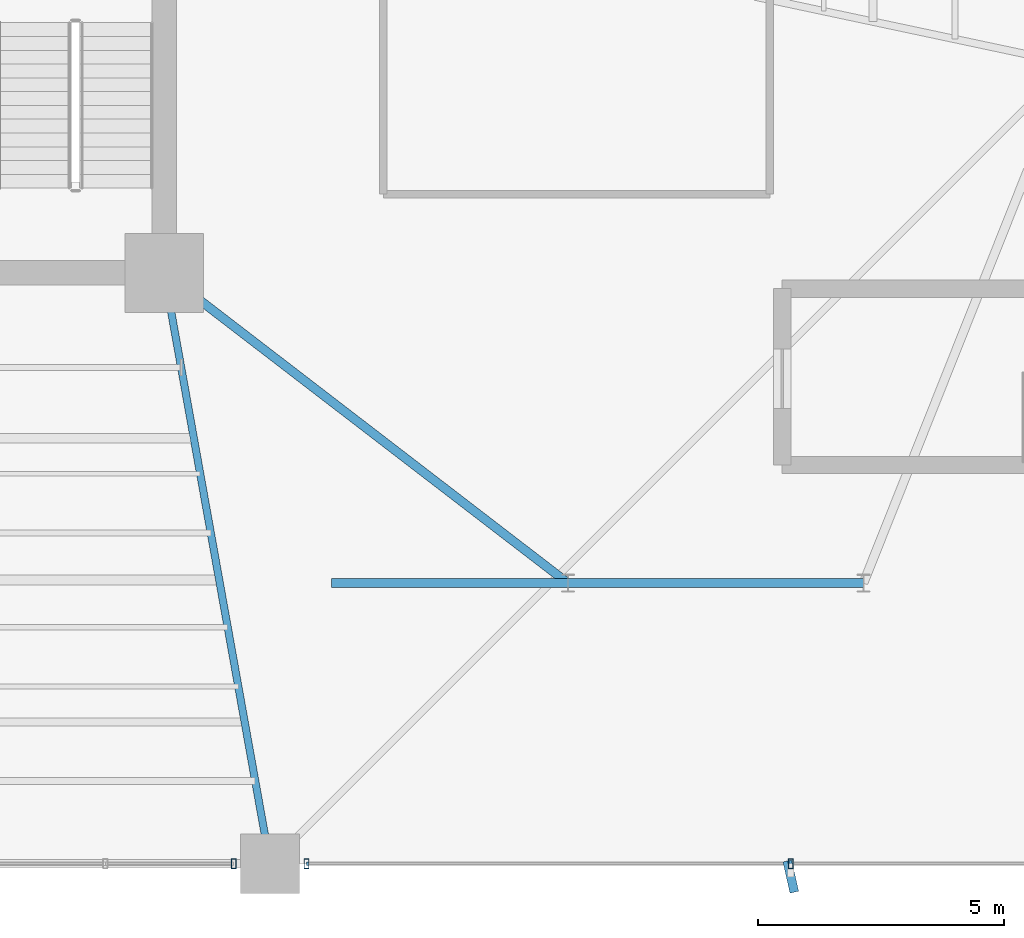
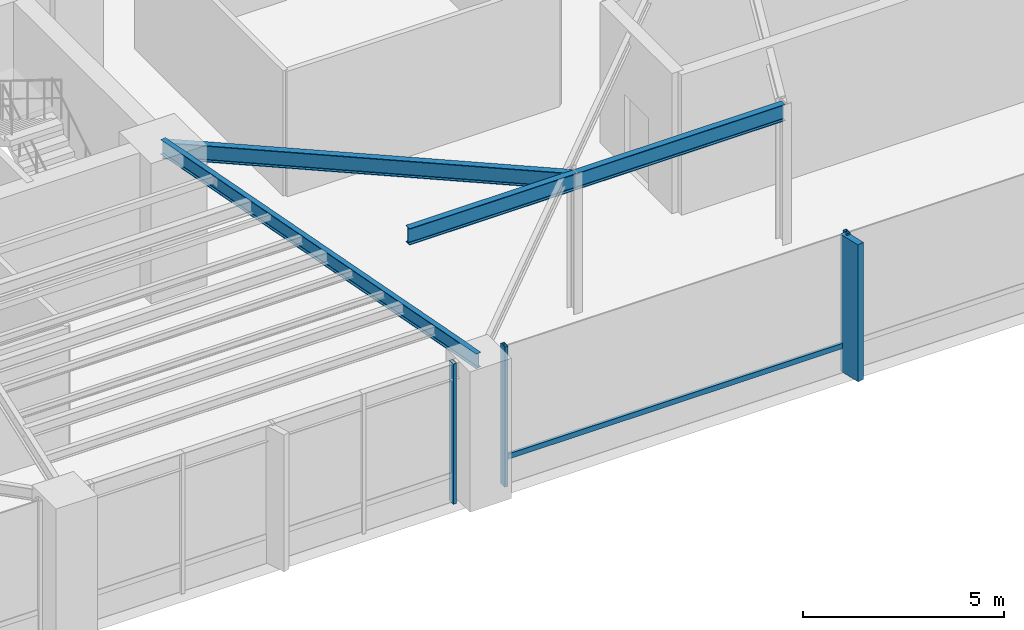
# One storey, part 9 of 26: 5 members, 4 beams, 2 elements without a shape of their own.
"""IFC4 building model written with IfcOpenShell, lengths in metres."""

from ifc_helpers import new_model, si_unit, direction, frame, origin, origin_2d, place, context, subcontext, project, spatial, rectangle, hollow_rectangle, i_section, extrude, source, transform, mapped, material, material_profile, profile_set, type_object, element, aggregate, save


model = new_model("IFC4")

# Units and contexts
model_context = context("Model", 3, precision=1e-05, world=origin(), true_north=direction((0.0, 1.0)))
body_context = subcontext(model_context, "Body", "Model", "MODEL_VIEW")
ifc_project = project(units=[si_unit("LENGTHUNIT", "METRE"), si_unit("AREAUNIT", "SQUARE_METRE"), si_unit("VOLUMEUNIT", "CUBIC_METRE"), si_unit("PLANEANGLEUNIT", "RADIAN"), si_unit("MASSUNIT", "GRAM", prefix="KILO")], contexts=[model_context])

# Site, building, storey
site_placement = place(None, origin())
site = spatial("IfcSite", under=ifc_project, at=site_placement, CompositionType="ELEMENT")
building_placement = place(site_placement, origin())
building = spatial("IfcBuilding", under=site, at=building_placement, Name="Sahyath Konkavel Grand Hotel", CompositionType="ELEMENT")
storey_placement = place(building_placement, frame((0.0, 0.0, 18.60009765625)))
storey = spatial("IfcBuildingStorey", under=building, at=storey_placement, Name="L04", CompositionType="ELEMENT", Elevation=18.60009765625)

# Beams
ifc_material_1 = material(Name="Steel E350", Category="steel")
ifc_material_profile_1 = material_profile(ifc_material_1, i_section(OverallWidth=0.179931640625, OverallDepth=0.5, WebThickness=0.01025390625, FlangeThickness=0.01708984375, FilletRadius=0.01708984375, at=origin_2d()), Name="ISMB 500")
ifc_profile_set_1 = profile_set([ifc_material_profile_1], Name="Steel E350")
beam_type_1 = type_object("IfcBeamType", Name="BM-ISMB500", PredefinedType="BEAM", material=ifc_profile_set_1)
shared_shape_1 = source(origin(), body_context, "Body", "SweptSolid", [
    extrude(i_section(OverallWidth=0.179931640625, OverallDepth=0.5, WebThickness=0.01025390625, FlangeThickness=0.01708984375, FilletRadius=0.01708984375, at=origin_2d()), origin(), (0.0, 0.0, 1.0), 6.0),
])
beam_1_placement = place(storey_placement, frame((12.0, -16.5, 3.949951171875), z_axis=(1.0, 0.0, 0.0), x_axis=(0.0, 1.0, 0.0)))
element("IfcBeam", 1, at=beam_1_placement, inside=storey, type_object=beam_type_1, Name="str:bm:L04:POD34-08", PredefinedType="BEAM", context=body_context, shape_type="MappedRepresentation", body=[
    mapped(shared_shape_1, transform((0.0, 0.0, 0.0), scale=1.0)),
])
shared_shape_2 = source(origin(), body_context, "Body", "SweptSolid", [
    extrude(i_section(OverallWidth=0.179931640625, OverallDepth=0.5, WebThickness=0.01025390625, FlangeThickness=0.01708984375, FilletRadius=0.01708984375, at=origin_2d()), origin(), (0.0, 0.0, 1.0), 4.800048828125),
])
beam_2_placement = place(storey_placement, frame((7.199951171875, -16.5, 3.949951171875), z_axis=(1.0, 0.0, 0.0), x_axis=(0.0, 1.0, 0.0)))
element("IfcBeam", 2, at=beam_2_placement, inside=storey, type_object=beam_type_1, Name="str:bm:L04:POD34-07", PredefinedType="BEAM", context=body_context, shape_type="MappedRepresentation", body=[
    mapped(shared_shape_2, transform((0.0, 0.0, 0.0), scale=1.0)),
])
shared_shape_3 = source(origin(), body_context, "Body", "SweptSolid", [
    extrude(i_section(OverallWidth=0.179931640625, OverallDepth=0.5, WebThickness=0.01025390625, FlangeThickness=0.01708984375, FilletRadius=0.01708984375, at=origin_2d()), origin(), (0.0, 0.0, 1.0), 10.340576171875),
])
beam_3_placement = place(storey_placement, frame((12.0, -16.5, 3.949951171875), z_axis=(-0.792979316573, 0.60924855641, 0.0), x_axis=(-0.60924855641, -0.792979316573, 0.0)))
element("IfcBeam", 3, at=beam_3_placement, inside=storey, type_object=beam_type_1, Name="str:bm:L04:POD34-15", PredefinedType="BEAM", context=body_context, shape_type="MappedRepresentation", body=[
    mapped(shared_shape_3, transform((0.0, 0.0, 0.0), scale=1.0)),
])
ifc_material_profile_2 = material_profile(ifc_material_1, i_section(OverallWidth=0.14990234375, OverallDepth=0.449951171875, WebThickness=0.009521484375, FlangeThickness=0.017333984375, FilletRadius=0.014892578125, at=origin_2d()), Name="ISMB 450")
ifc_profile_set_2 = profile_set([ifc_material_profile_2], Name="Steel E350")
beam_type_2 = type_object("IfcBeamType", Name="BM-ISMB450", PredefinedType="BEAM", material=ifc_profile_set_2)
shared_shape_4 = source(origin(), body_context, "Body", "SweptSolid", [
    extrude(i_section(OverallWidth=0.14990234375, OverallDepth=0.449951171875, WebThickness=0.009521484375, FlangeThickness=0.017333984375, FilletRadius=0.014892578125, at=origin_2d()), origin(), (0.0, 0.0, 1.0), 12.191162109375),
])
beam_4_placement = place(storey_placement, frame((3.800048828125, -10.199951171875, 4.034912109375), z_axis=(0.176350650305, -0.984327409014, 0.0), x_axis=(0.984327409014, 0.176350650305, 0.0)))
element("IfcBeam", 4, at=beam_4_placement, inside=storey, type_object=beam_type_2, Name="L04 Cruciform Radial Girder SB", PredefinedType="BEAM", context=body_context, shape_type="MappedRepresentation", body=[
    mapped(shared_shape_4, transform((0.0, 0.0, 0.0), scale=1.0)),
])

# Curtain wall, member
ifc_material_2 = material(Name="Anodised Bronze Aluminium & Low-E Glazing", Category="aluminium")
curtain_wall_type = type_object("IfcCurtainWallType", Name="CW-PODIUM", PredefinedType="NOTDEFINED", material=ifc_material_2)
curtain_wall_1_placement = place(storey_placement, origin())
curtain_wall_1 = element("IfcCurtainWall", 5, at=curtain_wall_1_placement, inside=storey, type_object=curtain_wall_type, Name="L04 Unitised Curtain Wall S2", PredefinedType="NOTDEFINED")
ifc_material_3 = material(Name="Anodised Bronze Aluminium", Category="aluminium")
ifc_material_profile_3 = material_profile(ifc_material_3, hollow_rectangle(XDim=0.10009765625, YDim=0.199951171875, WallThickness=0.008056640625, at=origin_2d()), Name="RHS 200x100x8")
ifc_profile_set_3 = profile_set([ifc_material_profile_3], Name="Anodised Bronze Aluminium")
member_type_1 = type_object("IfcMemberType", Name="CW-MUL-200", PredefinedType="MULLION", material=ifc_profile_set_3)
shared_shape_5 = source(origin(), body_context, "Body", "SweptSolid", [
    extrude(hollow_rectangle(XDim=0.10009765625, YDim=0.199951171875, WallThickness=0.008056640625, at=origin_2d()), origin(), (0.0, 0.0, 1.0), 4.260009765625),
])
member_1_placement = place(storey_placement, frame((5.2099609375, -22.199951171875, 0.0), z_axis=(0.0, 0.0, 1.0), x_axis=(1.0, 0.0, 0.0)))
member_1 = element("IfcMember", 6, at=member_1_placement, type_object=member_type_1, Name="L04 Curtain Wall Mullion S2-4", PredefinedType="MULLION", context=body_context, shape_type="MappedRepresentation", body=[
    mapped(shared_shape_5, transform((0.0, 0.0, 0.0), scale=1.0)),
])
aggregate(curtain_wall_1, [member_1])

# Curtain wall, members
curtain_wall_2_placement = place(storey_placement, origin())
curtain_wall_2 = element("IfcCurtainWall", 7, at=curtain_wall_2_placement, inside=storey, type_object=curtain_wall_type, Name="L04 Unitised Curtain Wall S3", PredefinedType="NOTDEFINED")
member_2_placement = place(storey_placement, frame((6.68994140625, -22.199951171875, 0.0), z_axis=(0.0, 0.0, 1.0), x_axis=(1.0, 0.0, 0.0)))
member_2 = element("IfcMember", 8, at=member_2_placement, type_object=member_type_1, Name="L04 Curtain Wall Mullion S3-0", PredefinedType="MULLION", context=body_context, shape_type="MappedRepresentation", body=[
    mapped(shared_shape_5, transform((0.0, 0.0, 0.0), scale=1.0)),
])
member_3_placement = place(storey_placement, frame((16.52490234375, -22.199951171875, 0.0), z_axis=(0.0, 0.0, 1.0), x_axis=(1.0, 0.0, 0.0)))
member_3 = element("IfcMember", 9, at=member_3_placement, type_object=member_type_1, Name="L04 Curtain Wall Mullion S3-1", PredefinedType="MULLION", context=body_context, shape_type="MappedRepresentation", body=[
    mapped(shared_shape_5, transform((0.0, 0.0, 0.0), scale=1.0)),
])
ifc_material_4 = material(Name="Warm Buff Sandstone Cladding on Concrete C50/60", Category="masonry")
ifc_material_profile_4 = material_profile(ifc_material_4, rectangle(XDim=0.179931640625, YDim=0.64990234375, at=origin_2d()), Name="FIN 180x650")
ifc_profile_set_4 = profile_set([ifc_material_profile_4], Name="Warm Buff Sandstone Cladding on Concrete C50/60")
member_type_2 = type_object("IfcMemberType", Name="FIN-SANDSTONE-650", PredefinedType="MULLION", material=ifc_profile_set_4)
shared_shape_6 = source(origin(), body_context, "Body", "SweptSolid", [
    extrude(rectangle(XDim=0.179931640625, YDim=0.64990234375, at=origin_2d()), origin(), (0.0, 0.0, 1.0), 4.16015625),
])
member_4_placement = place(storey_placement, frame((16.52490234375, -22.4599609375, 0.0498046875), z_axis=(0.0, 0.0, 1.0), x_axis=(0.975419299024, 0.220356962886, 0.0)))
member_4 = element("IfcMember", 10, at=member_4_placement, type_object=member_type_2, Name="L04 Sandstone Vertical Solar Fin FIN S3-1", PredefinedType="MULLION", context=body_context, shape_type="MappedRepresentation", body=[
    mapped(shared_shape_6, transform((0.0, 0.0, 0.0), scale=1.0)),
])
ifc_material_profile_5 = material_profile(ifc_material_3, hollow_rectangle(XDim=0.080078125, YDim=0.159912109375, WallThickness=0.006103515625, at=origin_2d()), Name="RHS 160x80x6")
ifc_profile_set_5 = profile_set([ifc_material_profile_5], Name="Anodised Bronze Aluminium")
member_type_3 = type_object("IfcMemberType", Name="CW-TRN-160", PredefinedType="USERDEFINED", material=ifc_profile_set_5)
shared_shape_7 = source(origin(), body_context, "Body", "SweptSolid", [
    extrude(hollow_rectangle(XDim=0.080078125, YDim=0.159912109375, WallThickness=0.006103515625, at=origin_2d()), origin(), (0.0, 0.0, 1.0), 9.8349609375),
])
member_5_placement = place(storey_placement, frame((6.68994140625, -22.199951171875, 0.849853515625), z_axis=(1.0, 0.0, 0.0), x_axis=(0.0, 1.0, 0.0)))
member_5 = element("IfcMember", 11, at=member_5_placement, type_object=member_type_3, Name="L04 Curtain Wall Transom S3-0-spandrel", ObjectType="TRANSOM", PredefinedType="USERDEFINED", context=body_context, shape_type="MappedRepresentation", body=[
    mapped(shared_shape_7, transform((0.0, 0.0, 0.0), scale=1.0)),
])
aggregate(curtain_wall_2, [member_2, member_3, member_4, member_5])

save(model, "model.ifc")
